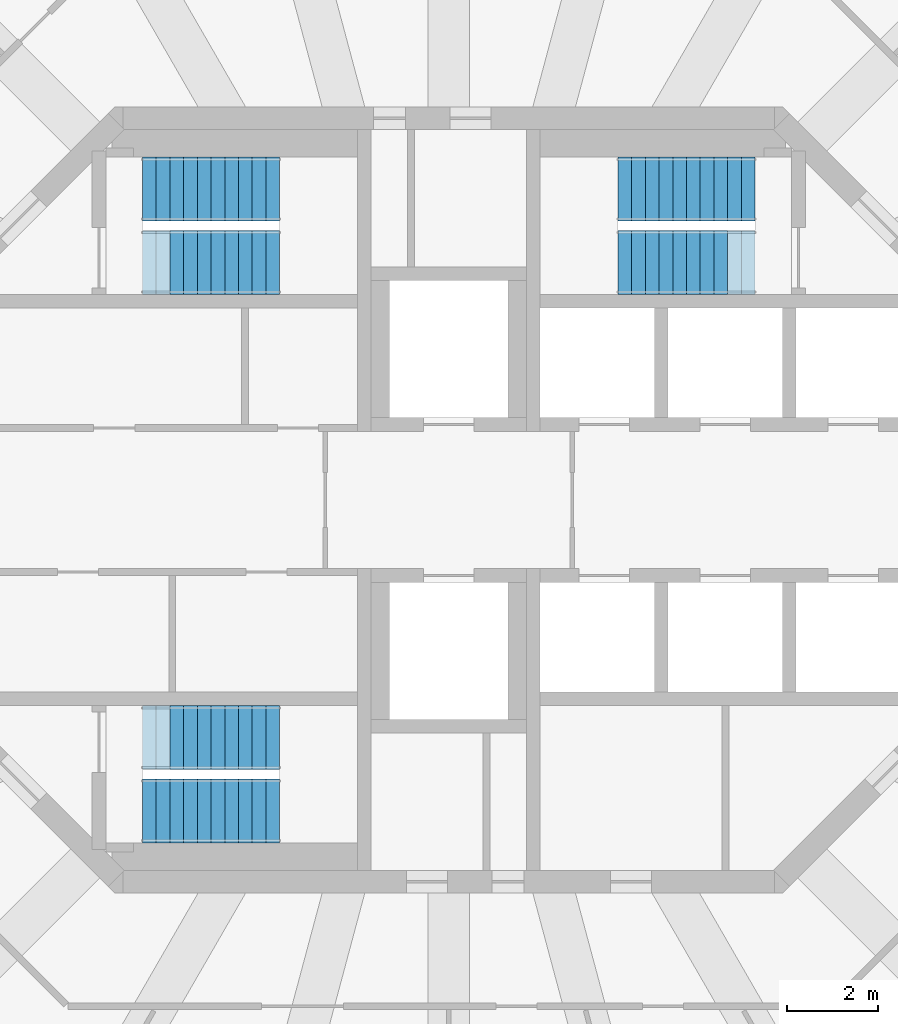
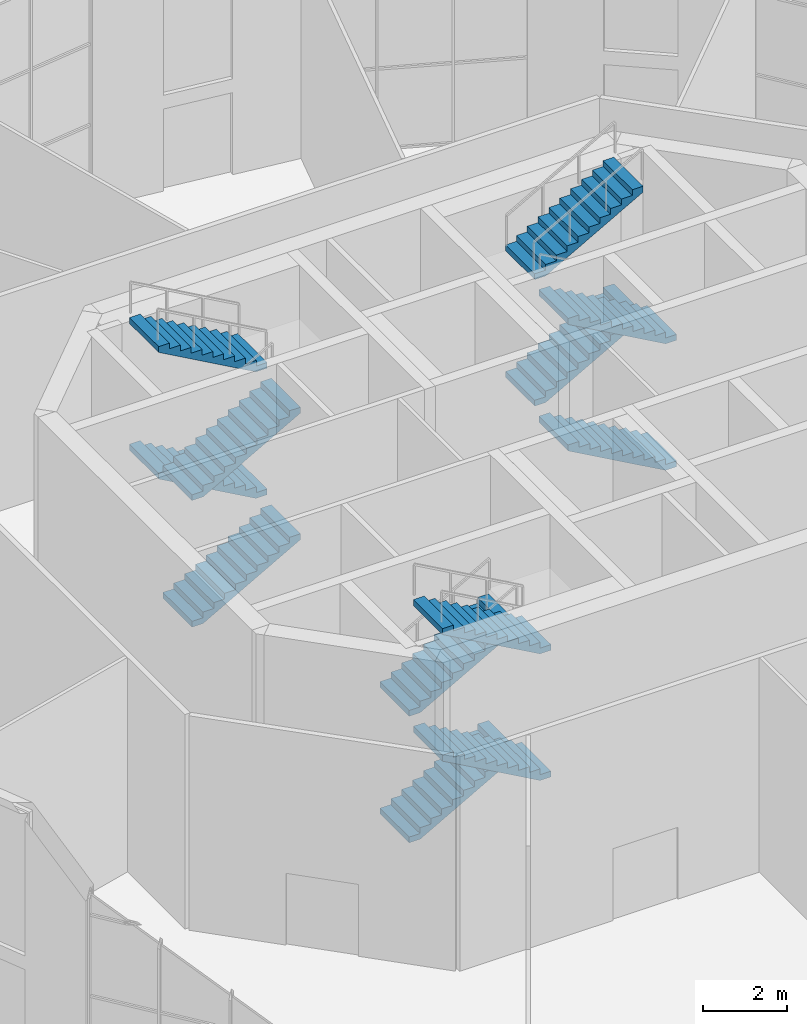
# One storey, part 14 of 17: 12 stair flights, 3 elements without a shape of their own.
"""IFC4 building model written with IfcOpenShell, lengths in metres."""

from ifc_helpers import new_model, si_unit, direction, frame, origin, place, context, subcontext, project, spatial, polyline, outline, extrude, material, type_object, element, aggregate, save


model = new_model("IFC4")

# Units and contexts
model_context = context("Model", 3, precision=1e-05, world=origin(), true_north=direction((0.0, 1.0)))
body_context = subcontext(model_context, "Body", "Model", "MODEL_VIEW")
ifc_project = project(units=[si_unit("LENGTHUNIT", "METRE"), si_unit("AREAUNIT", "SQUARE_METRE"), si_unit("VOLUMEUNIT", "CUBIC_METRE"), si_unit("PLANEANGLEUNIT", "RADIAN"), si_unit("MASSUNIT", "GRAM", prefix="KILO")], contexts=[model_context])

# Site, building, storey
site_placement = place(None, origin())
site = spatial("IfcSite", under=ifc_project, at=site_placement, CompositionType="ELEMENT")
building_placement = place(site_placement, origin())
building = spatial("IfcBuilding", under=site, at=building_placement, Name="Torre Triforio", CompositionType="ELEMENT")
storey_placement = place(building_placement, frame((0.0, 0.0, 276.0)))
storey = spatial("IfcBuildingStorey", under=building, at=storey_placement, Name="L64", CompositionType="ELEMENT", Elevation=276.0)

# Stair, stair flights
ifc_material = material(Name="Concrete C40", Category="concrete")
stair_type = type_object("IfcStairType", Name="STAIR DOUBLE RETURN", PredefinedType="DOUBLE_RETURN_STAIR", material=ifc_material)
stair_1_placement = place(storey_placement, origin())
stair_1 = element("IfcStair", 1, at=stair_1_placement, inside=storey, type_object=stair_type, Name="Exit stair 1", PredefinedType="DOUBLE_RETURN_STAIR")
stair_flight_type = type_object("IfcStairFlightType", Name="STAIR FLIGHT 1400", PredefinedType="STRAIGHT", material=ifc_material)
stair_flight_1_placement = place(storey_placement, frame((-6.699951171875, 5.199951171875, 0.0), z_axis=(0.0, 0.0, 1.0), x_axis=(1.0, 0.0, 0.0)))
stair_flight_1 = element("IfcStairFlight", 2, at=stair_flight_1_placement, type_object=stair_flight_type, Name="ST1 flight 1", NumberOfRisers=11, NumberOfTreads=10, PredefinedType="STRAIGHT", RiserHeight=0.168181818, TreadLength=0.3, context=body_context, shape_type="SweptSolid", body=[
    extrude(outline(polyline([(0.0, 0.0), (0.0, 0.168212890625), (0.300048828125, 0.168212890625), (0.300048828125, 0.33642578125), (0.60009765625, 0.33642578125), (0.60009765625, 0.504638671875), (0.89990234375, 0.504638671875), (0.89990234375, 0.672607421875), (1.199951171875, 0.672607421875), (1.199951171875, 0.8408203125), (1.5, 0.8408203125), (1.5, 1.009033203125), (1.800048828125, 1.009033203125), (1.800048828125, 1.17724609375), (2.10009765625, 1.17724609375), (2.10009765625, 1.345458984375), (2.39990234375, 1.345458984375), (2.39990234375, 1.513671875), (2.699951171875, 1.513671875), (2.699951171875, 1.681884765625), (3.0, 1.681884765625), (3.0, 1.85009765625), (3.0, 1.510009765625), (0.306640625, 0.0), (0.0, 0.0)])), frame((0.0, 0.699951171875, 0.0), z_axis=(0.0, -1.0, 0.0), x_axis=(1.0, 0.0, 0.0)), (0.0, 0.0, 1.0), 1.39990234375),
])
stair_flight_2_placement = place(storey_placement, frame((-3.699951171875, 6.800048828125, 1.85009765625), z_axis=(0.0, 0.0, 1.0), x_axis=(-1.0, 0.0, 0.0)))
stair_flight_2 = element("IfcStairFlight", 3, at=stair_flight_2_placement, type_object=stair_flight_type, Name="ST1 flight 2", NumberOfRisers=11, NumberOfTreads=10, PredefinedType="STRAIGHT", RiserHeight=0.168181818, TreadLength=0.3, context=body_context, shape_type="SweptSolid", body=[
    extrude(outline(polyline([(0.0, 0.0), (0.0, 0.168212890625), (0.300048828125, 0.168212890625), (0.300048828125, 0.33642578125), (0.60009765625, 0.33642578125), (0.60009765625, 0.504638671875), (0.89990234375, 0.504638671875), (0.89990234375, 0.672607421875), (1.199951171875, 0.672607421875), (1.199951171875, 0.8408203125), (1.5, 0.8408203125), (1.5, 1.009033203125), (1.800048828125, 1.009033203125), (1.800048828125, 1.17724609375), (2.10009765625, 1.17724609375), (2.10009765625, 1.345458984375), (2.39990234375, 1.345458984375), (2.39990234375, 1.513671875), (2.699951171875, 1.513671875), (2.699951171875, 1.681884765625), (3.0, 1.681884765625), (3.0, 1.85009765625), (3.0, 1.510009765625), (0.306640625, 0.0), (0.0, 0.0)])), frame((0.0, 0.699951171875, 0.0), z_axis=(0.0, -1.0, 0.0), x_axis=(1.0, 0.0, 0.0)), (0.0, 0.0, 1.0), 1.39990234375),
])
stair_flight_3_placement = place(storey_placement, frame((-6.699951171875, 5.199951171875, 3.699951171875), z_axis=(0.0, 0.0, 1.0), x_axis=(1.0, 0.0, 0.0)))
stair_flight_3 = element("IfcStairFlight", 4, at=stair_flight_3_placement, type_object=stair_flight_type, Name="ST1 flight 3", NumberOfRisers=11, NumberOfTreads=10, PredefinedType="STRAIGHT", RiserHeight=0.168181818, TreadLength=0.3, context=body_context, shape_type="SweptSolid", body=[
    extrude(outline(polyline([(0.0, 0.0), (0.0, 0.168212890625), (0.300048828125, 0.168212890625), (0.300048828125, 0.33642578125), (0.60009765625, 0.33642578125), (0.60009765625, 0.504638671875), (0.89990234375, 0.504638671875), (0.89990234375, 0.672607421875), (1.199951171875, 0.672607421875), (1.199951171875, 0.8408203125), (1.5, 0.8408203125), (1.5, 1.009033203125), (1.800048828125, 1.009033203125), (1.800048828125, 1.17724609375), (2.10009765625, 1.17724609375), (2.10009765625, 1.345458984375), (2.39990234375, 1.345458984375), (2.39990234375, 1.513671875), (2.699951171875, 1.513671875), (2.699951171875, 1.681884765625), (3.0, 1.681884765625), (3.0, 1.85009765625), (3.0, 1.510009765625), (0.306640625, 0.0), (0.0, 0.0)])), frame((0.0, 0.699951171875, 0.0), z_axis=(0.0, -1.0, 0.0), x_axis=(1.0, 0.0, 0.0)), (0.0, 0.0, 1.0), 1.39990234375),
])
stair_flight_4_placement = place(storey_placement, frame((-3.699951171875, 6.800048828125, 5.550048828125), z_axis=(0.0, 0.0, 1.0), x_axis=(-1.0, 0.0, 0.0)))
stair_flight_4 = element("IfcStairFlight", 5, at=stair_flight_4_placement, type_object=stair_flight_type, Name="ST1 flight 4", NumberOfRisers=11, NumberOfTreads=10, PredefinedType="STRAIGHT", RiserHeight=0.168181818, TreadLength=0.3, context=body_context, shape_type="SweptSolid", body=[
    extrude(outline(polyline([(0.0, 0.0), (0.0, 0.168212890625), (0.300048828125, 0.168212890625), (0.300048828125, 0.33642578125), (0.60009765625, 0.33642578125), (0.60009765625, 0.504638671875), (0.89990234375, 0.504638671875), (0.89990234375, 0.672607421875), (1.199951171875, 0.672607421875), (1.199951171875, 0.8408203125), (1.5, 0.8408203125), (1.5, 1.009033203125), (1.800048828125, 1.009033203125), (1.800048828125, 1.17724609375), (2.10009765625, 1.17724609375), (2.10009765625, 1.345458984375), (2.39990234375, 1.345458984375), (2.39990234375, 1.513671875), (2.699951171875, 1.513671875), (2.699951171875, 1.681884765625), (3.0, 1.681884765625), (3.0, 1.85009765625), (3.0, 1.510009765625), (0.306640625, 0.0), (0.0, 0.0)])), frame((0.0, 0.699951171875, 0.0), z_axis=(0.0, -1.0, 0.0), x_axis=(1.0, 0.0, 0.0)), (0.0, 0.0, 1.0), 1.39990234375),
])
aggregate(stair_1, [stair_flight_1, stair_flight_2, stair_flight_3, stair_flight_4])

stair_2_placement = place(storey_placement, origin())
stair_2 = element("IfcStair", 6, at=stair_2_placement, inside=storey, type_object=stair_type, Name="Exit stair 2", PredefinedType="DOUBLE_RETURN_STAIR")
stair_flight_5_placement = place(storey_placement, frame((6.699951171875, 5.199951171875, 0.0), z_axis=(0.0, 0.0, 1.0), x_axis=(-1.0, 0.0, 0.0)))
stair_flight_5 = element("IfcStairFlight", 7, at=stair_flight_5_placement, type_object=stair_flight_type, Name="ST2 flight 1", NumberOfRisers=11, NumberOfTreads=10, PredefinedType="STRAIGHT", RiserHeight=0.168181818, TreadLength=0.3, context=body_context, shape_type="SweptSolid", body=[
    extrude(outline(polyline([(0.0, 0.0), (0.0, 0.168212890625), (0.300048828125, 0.168212890625), (0.300048828125, 0.33642578125), (0.60009765625, 0.33642578125), (0.60009765625, 0.504638671875), (0.89990234375, 0.504638671875), (0.89990234375, 0.672607421875), (1.199951171875, 0.672607421875), (1.199951171875, 0.8408203125), (1.5, 0.8408203125), (1.5, 1.009033203125), (1.800048828125, 1.009033203125), (1.800048828125, 1.17724609375), (2.10009765625, 1.17724609375), (2.10009765625, 1.345458984375), (2.39990234375, 1.345458984375), (2.39990234375, 1.513671875), (2.699951171875, 1.513671875), (2.699951171875, 1.681884765625), (3.0, 1.681884765625), (3.0, 1.85009765625), (3.0, 1.510009765625), (0.306640625, 0.0), (0.0, 0.0)])), frame((0.0, 0.699951171875, 0.0), z_axis=(0.0, -1.0, 0.0), x_axis=(1.0, 0.0, 0.0)), (0.0, 0.0, 1.0), 1.39990234375),
])
stair_flight_6_placement = place(storey_placement, frame((3.699951171875, 6.800048828125, 1.85009765625), z_axis=(0.0, 0.0, 1.0), x_axis=(1.0, 0.0, 0.0)))
stair_flight_6 = element("IfcStairFlight", 8, at=stair_flight_6_placement, type_object=stair_flight_type, Name="ST2 flight 2", NumberOfRisers=11, NumberOfTreads=10, PredefinedType="STRAIGHT", RiserHeight=0.168181818, TreadLength=0.3, context=body_context, shape_type="SweptSolid", body=[
    extrude(outline(polyline([(0.0, 0.0), (0.0, 0.168212890625), (0.300048828125, 0.168212890625), (0.300048828125, 0.33642578125), (0.60009765625, 0.33642578125), (0.60009765625, 0.504638671875), (0.89990234375, 0.504638671875), (0.89990234375, 0.672607421875), (1.199951171875, 0.672607421875), (1.199951171875, 0.8408203125), (1.5, 0.8408203125), (1.5, 1.009033203125), (1.800048828125, 1.009033203125), (1.800048828125, 1.17724609375), (2.10009765625, 1.17724609375), (2.10009765625, 1.345458984375), (2.39990234375, 1.345458984375), (2.39990234375, 1.513671875), (2.699951171875, 1.513671875), (2.699951171875, 1.681884765625), (3.0, 1.681884765625), (3.0, 1.85009765625), (3.0, 1.510009765625), (0.306640625, 0.0), (0.0, 0.0)])), frame((0.0, 0.699951171875, 0.0), z_axis=(0.0, -1.0, 0.0), x_axis=(1.0, 0.0, 0.0)), (0.0, 0.0, 1.0), 1.39990234375),
])
stair_flight_7_placement = place(storey_placement, frame((6.699951171875, 5.199951171875, 3.699951171875), z_axis=(0.0, 0.0, 1.0), x_axis=(-1.0, 0.0, 0.0)))
stair_flight_7 = element("IfcStairFlight", 9, at=stair_flight_7_placement, type_object=stair_flight_type, Name="ST2 flight 3", NumberOfRisers=11, NumberOfTreads=10, PredefinedType="STRAIGHT", RiserHeight=0.168181818, TreadLength=0.3, context=body_context, shape_type="SweptSolid", body=[
    extrude(outline(polyline([(0.0, 0.0), (0.0, 0.168212890625), (0.300048828125, 0.168212890625), (0.300048828125, 0.33642578125), (0.60009765625, 0.33642578125), (0.60009765625, 0.504638671875), (0.89990234375, 0.504638671875), (0.89990234375, 0.672607421875), (1.199951171875, 0.672607421875), (1.199951171875, 0.8408203125), (1.5, 0.8408203125), (1.5, 1.009033203125), (1.800048828125, 1.009033203125), (1.800048828125, 1.17724609375), (2.10009765625, 1.17724609375), (2.10009765625, 1.345458984375), (2.39990234375, 1.345458984375), (2.39990234375, 1.513671875), (2.699951171875, 1.513671875), (2.699951171875, 1.681884765625), (3.0, 1.681884765625), (3.0, 1.85009765625), (3.0, 1.510009765625), (0.306640625, 0.0), (0.0, 0.0)])), frame((0.0, 0.699951171875, 0.0), z_axis=(0.0, -1.0, 0.0), x_axis=(1.0, 0.0, 0.0)), (0.0, 0.0, 1.0), 1.39990234375),
])
stair_flight_8_placement = place(storey_placement, frame((3.699951171875, 6.800048828125, 5.550048828125), z_axis=(0.0, 0.0, 1.0), x_axis=(1.0, 0.0, 0.0)))
stair_flight_8 = element("IfcStairFlight", 10, at=stair_flight_8_placement, type_object=stair_flight_type, Name="ST2 flight 4", NumberOfRisers=11, NumberOfTreads=10, PredefinedType="STRAIGHT", RiserHeight=0.168181818, TreadLength=0.3, context=body_context, shape_type="SweptSolid", body=[
    extrude(outline(polyline([(0.0, 0.0), (0.0, 0.168212890625), (0.300048828125, 0.168212890625), (0.300048828125, 0.33642578125), (0.60009765625, 0.33642578125), (0.60009765625, 0.504638671875), (0.89990234375, 0.504638671875), (0.89990234375, 0.672607421875), (1.199951171875, 0.672607421875), (1.199951171875, 0.8408203125), (1.5, 0.8408203125), (1.5, 1.009033203125), (1.800048828125, 1.009033203125), (1.800048828125, 1.17724609375), (2.10009765625, 1.17724609375), (2.10009765625, 1.345458984375), (2.39990234375, 1.345458984375), (2.39990234375, 1.513671875), (2.699951171875, 1.513671875), (2.699951171875, 1.681884765625), (3.0, 1.681884765625), (3.0, 1.85009765625), (3.0, 1.510009765625), (0.306640625, 0.0), (0.0, 0.0)])), frame((0.0, 0.699951171875, 0.0), z_axis=(0.0, -1.0, 0.0), x_axis=(1.0, 0.0, 0.0)), (0.0, 0.0, 1.0), 1.39990234375),
])
aggregate(stair_2, [stair_flight_5, stair_flight_6, stair_flight_7, stair_flight_8])

stair_3_placement = place(storey_placement, origin())
stair_3 = element("IfcStair", 11, at=stair_3_placement, inside=storey, type_object=stair_type, Name="Exit stair 3", PredefinedType="DOUBLE_RETURN_STAIR")
stair_flight_9_placement = place(storey_placement, frame((-6.699951171875, -5.199951171875, 0.0), z_axis=(0.0, 0.0, 1.0), x_axis=(1.0, 0.0, 0.0)))
stair_flight_9 = element("IfcStairFlight", 12, at=stair_flight_9_placement, type_object=stair_flight_type, Name="ST3 flight 1", NumberOfRisers=11, NumberOfTreads=10, PredefinedType="STRAIGHT", RiserHeight=0.168181818, TreadLength=0.3, context=body_context, shape_type="SweptSolid", body=[
    extrude(outline(polyline([(0.0, 0.0), (0.0, 0.168212890625), (0.300048828125, 0.168212890625), (0.300048828125, 0.33642578125), (0.60009765625, 0.33642578125), (0.60009765625, 0.504638671875), (0.89990234375, 0.504638671875), (0.89990234375, 0.672607421875), (1.199951171875, 0.672607421875), (1.199951171875, 0.8408203125), (1.5, 0.8408203125), (1.5, 1.009033203125), (1.800048828125, 1.009033203125), (1.800048828125, 1.17724609375), (2.10009765625, 1.17724609375), (2.10009765625, 1.345458984375), (2.39990234375, 1.345458984375), (2.39990234375, 1.513671875), (2.699951171875, 1.513671875), (2.699951171875, 1.681884765625), (3.0, 1.681884765625), (3.0, 1.85009765625), (3.0, 1.510009765625), (0.306640625, 0.0), (0.0, 0.0)])), frame((0.0, 0.699951171875, 0.0), z_axis=(0.0, -1.0, 0.0), x_axis=(1.0, 0.0, 0.0)), (0.0, 0.0, 1.0), 1.39990234375),
])
stair_flight_10_placement = place(storey_placement, frame((-3.699951171875, -6.800048828125, 1.85009765625), z_axis=(0.0, 0.0, 1.0), x_axis=(-1.0, 0.0, 0.0)))
stair_flight_10 = element("IfcStairFlight", 13, at=stair_flight_10_placement, type_object=stair_flight_type, Name="ST3 flight 2", NumberOfRisers=11, NumberOfTreads=10, PredefinedType="STRAIGHT", RiserHeight=0.168181818, TreadLength=0.3, context=body_context, shape_type="SweptSolid", body=[
    extrude(outline(polyline([(0.0, 0.0), (0.0, 0.168212890625), (0.300048828125, 0.168212890625), (0.300048828125, 0.33642578125), (0.60009765625, 0.33642578125), (0.60009765625, 0.504638671875), (0.89990234375, 0.504638671875), (0.89990234375, 0.672607421875), (1.199951171875, 0.672607421875), (1.199951171875, 0.8408203125), (1.5, 0.8408203125), (1.5, 1.009033203125), (1.800048828125, 1.009033203125), (1.800048828125, 1.17724609375), (2.10009765625, 1.17724609375), (2.10009765625, 1.345458984375), (2.39990234375, 1.345458984375), (2.39990234375, 1.513671875), (2.699951171875, 1.513671875), (2.699951171875, 1.681884765625), (3.0, 1.681884765625), (3.0, 1.85009765625), (3.0, 1.510009765625), (0.306640625, 0.0), (0.0, 0.0)])), frame((0.0, 0.699951171875, 0.0), z_axis=(0.0, -1.0, 0.0), x_axis=(1.0, 0.0, 0.0)), (0.0, 0.0, 1.0), 1.39990234375),
])
stair_flight_11_placement = place(storey_placement, frame((-6.699951171875, -5.199951171875, 3.699951171875), z_axis=(0.0, 0.0, 1.0), x_axis=(1.0, 0.0, 0.0)))
stair_flight_11 = element("IfcStairFlight", 14, at=stair_flight_11_placement, type_object=stair_flight_type, Name="ST3 flight 3", NumberOfRisers=11, NumberOfTreads=10, PredefinedType="STRAIGHT", RiserHeight=0.168181818, TreadLength=0.3, context=body_context, shape_type="SweptSolid", body=[
    extrude(outline(polyline([(0.0, 0.0), (0.0, 0.168212890625), (0.300048828125, 0.168212890625), (0.300048828125, 0.33642578125), (0.60009765625, 0.33642578125), (0.60009765625, 0.504638671875), (0.89990234375, 0.504638671875), (0.89990234375, 0.672607421875), (1.199951171875, 0.672607421875), (1.199951171875, 0.8408203125), (1.5, 0.8408203125), (1.5, 1.009033203125), (1.800048828125, 1.009033203125), (1.800048828125, 1.17724609375), (2.10009765625, 1.17724609375), (2.10009765625, 1.345458984375), (2.39990234375, 1.345458984375), (2.39990234375, 1.513671875), (2.699951171875, 1.513671875), (2.699951171875, 1.681884765625), (3.0, 1.681884765625), (3.0, 1.85009765625), (3.0, 1.510009765625), (0.306640625, 0.0), (0.0, 0.0)])), frame((0.0, 0.699951171875, 0.0), z_axis=(0.0, -1.0, 0.0), x_axis=(1.0, 0.0, 0.0)), (0.0, 0.0, 1.0), 1.39990234375),
])
stair_flight_12_placement = place(storey_placement, frame((-3.699951171875, -6.800048828125, 5.550048828125), z_axis=(0.0, 0.0, 1.0), x_axis=(-1.0, 0.0, 0.0)))
stair_flight_12 = element("IfcStairFlight", 15, at=stair_flight_12_placement, type_object=stair_flight_type, Name="ST3 flight 4", NumberOfRisers=11, NumberOfTreads=10, PredefinedType="STRAIGHT", RiserHeight=0.168181818, TreadLength=0.3, context=body_context, shape_type="SweptSolid", body=[
    extrude(outline(polyline([(0.0, 0.0), (0.0, 0.168212890625), (0.300048828125, 0.168212890625), (0.300048828125, 0.33642578125), (0.60009765625, 0.33642578125), (0.60009765625, 0.504638671875), (0.89990234375, 0.504638671875), (0.89990234375, 0.672607421875), (1.199951171875, 0.672607421875), (1.199951171875, 0.8408203125), (1.5, 0.8408203125), (1.5, 1.009033203125), (1.800048828125, 1.009033203125), (1.800048828125, 1.17724609375), (2.10009765625, 1.17724609375), (2.10009765625, 1.345458984375), (2.39990234375, 1.345458984375), (2.39990234375, 1.513671875), (2.699951171875, 1.513671875), (2.699951171875, 1.681884765625), (3.0, 1.681884765625), (3.0, 1.85009765625), (3.0, 1.510009765625), (0.306640625, 0.0), (0.0, 0.0)])), frame((0.0, 0.699951171875, 0.0), z_axis=(0.0, -1.0, 0.0), x_axis=(1.0, 0.0, 0.0)), (0.0, 0.0, 1.0), 1.39990234375),
])
aggregate(stair_3, [stair_flight_9, stair_flight_10, stair_flight_11, stair_flight_12])

save(model, "model.ifc")
